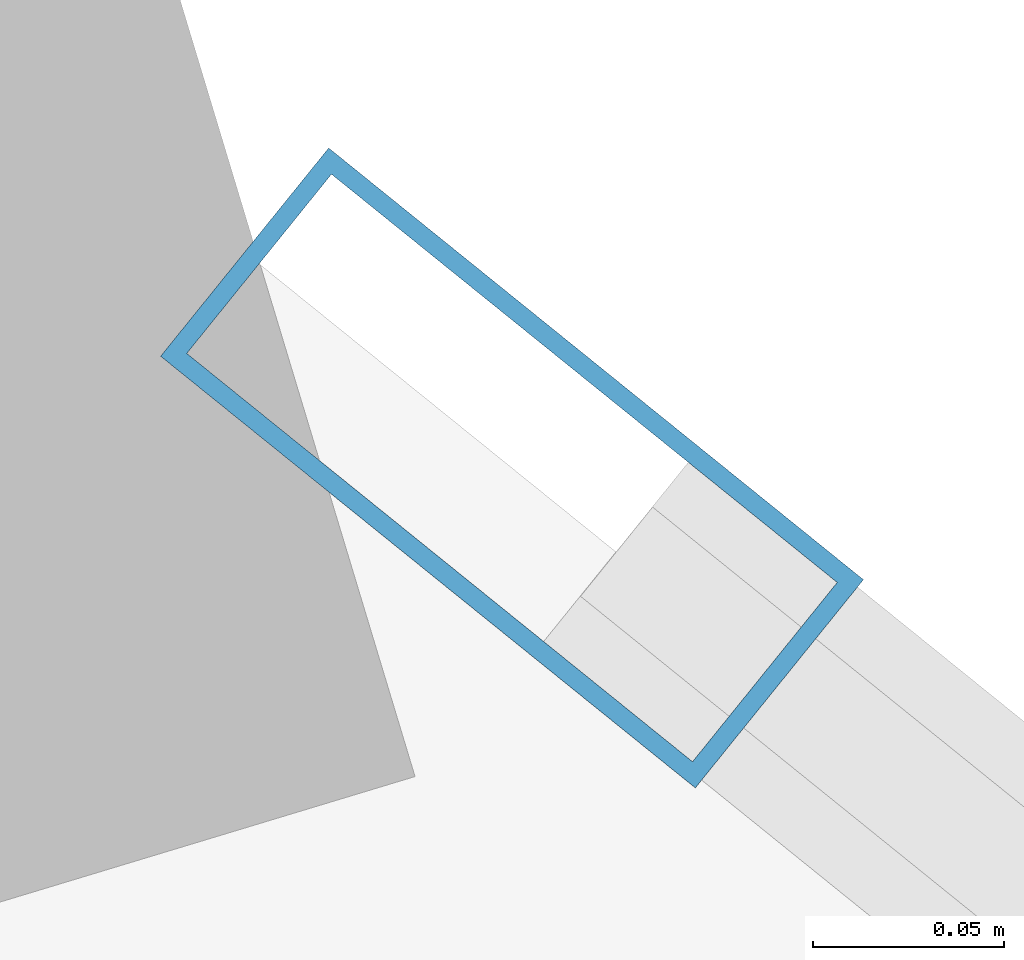
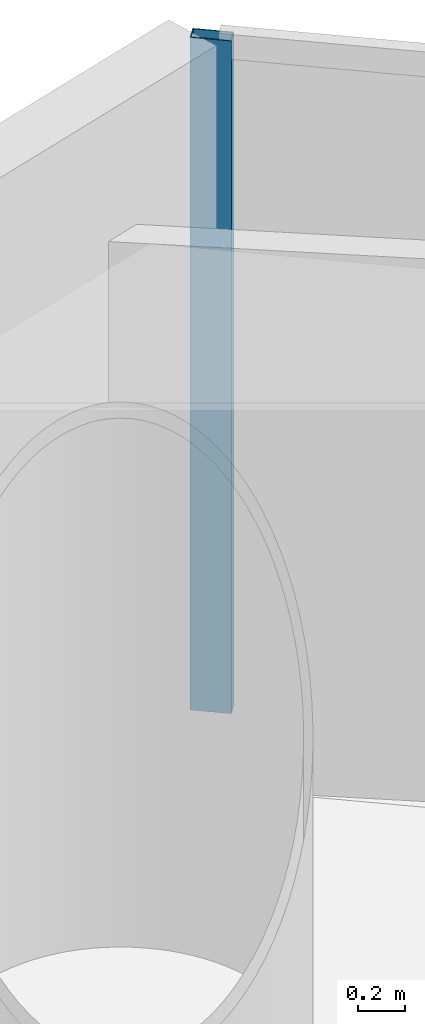
# One storey, part 15 of 23: 1 member, 1 element without a shape of its own.
"""IFC4 building model written with IfcOpenShell, lengths in metres."""

from ifc_helpers import new_model, si_unit, direction, frame, origin, origin_2d, place, context, subcontext, project, spatial, hollow_rectangle, extrude, material, layer, layer_set, material_profile, profile_set, type_object, element, aggregate, save


model = new_model("IFC4")

# Units and contexts
model_context = context("Model", 3, precision=1e-05, world=origin(), true_north=direction((0.0, 1.0)))
body_context = subcontext(model_context, "Body", "Model", "MODEL_VIEW")
ifc_project = project(units=[si_unit("LENGTHUNIT", "METRE"), si_unit("AREAUNIT", "SQUARE_METRE"), si_unit("VOLUMEUNIT", "CUBIC_METRE"), si_unit("PLANEANGLEUNIT", "RADIAN"), si_unit("MASSUNIT", "GRAM", prefix="KILO")], contexts=[model_context])

# Site, building, storey
site_placement = place(None, origin())
site = spatial("IfcSite", under=ifc_project, at=site_placement, CompositionType="ELEMENT")
building_placement = place(site_placement, origin())
building = spatial("IfcBuilding", under=site, at=building_placement, Name="Qianvela Tower", CompositionType="ELEMENT")
storey_placement = place(building_placement, frame((0.0, 0.0, 82.10009765625)))
storey = spatial("IfcBuildingStorey", under=building, at=storey_placement, Name="L20", CompositionType="ELEMENT", Elevation=82.10009765625)

# Curtain wall, member
ifc_material_1 = material(Name="Anodised Architectural Aluminium and Low-E Glass", Category="aluminium")
ifc_layer = layer(ifc_material_1, 0.179931640625)
ifc_layer_set = layer_set([ifc_layer], Name="Anodised Architectural Aluminium and Low-E Glass")
curtain_wall_type = type_object("IfcCurtainWallType", Name="CW-COLIV-Z12", PredefinedType="USERDEFINED", material=ifc_layer_set)
curtain_wall_placement = place(storey_placement, origin())
curtain_wall = element("IfcCurtainWall", 1, at=curtain_wall_placement, inside=storey, type_object=curtain_wall_type, Name="L20 CW-COLIV-Z12 Curtain Wall 02C", ObjectType="CURTAIN_WALL_SYSTEM", PredefinedType="USERDEFINED")
ifc_material_2 = material(Name="Anodised Architectural Aluminium 6063-T6", Category="aluminium")
ifc_material_profile = material_profile(ifc_material_2, hollow_rectangle(XDim=0.070068359375, YDim=0.179931640625, WallThickness=0.0048828125, at=origin_2d()), Name="ALU-MULL-70x180")
ifc_profile_set = profile_set([ifc_material_profile], Name="Anodised Architectural Aluminium 6063-T6")
member_type = type_object("IfcMemberType", Name="CW-COLIV-Z12-MULL", PredefinedType="MULLION", material=ifc_profile_set)
member_placement = place(storey_placement, frame((35.167724609375, 44.58837890625, 0.0), z_axis=(0.0, 0.0, 1.0), x_axis=(-0.628140072798, -0.778100282062, 0.0)))
member = element("IfcMember", 2, at=member_placement, type_object=member_type, Name="CW-3 mullion 2", PredefinedType="MULLION", context=body_context, shape_type="SweptSolid", body=[
    extrude(hollow_rectangle(XDim=0.070068359375, YDim=0.179931640625, WallThickness=0.0048828125, at=origin_2d()), origin(), (0.0, 0.0, 1.0), 3.52001953125),
])
aggregate(curtain_wall, [member])

save(model, "model.ifc")
